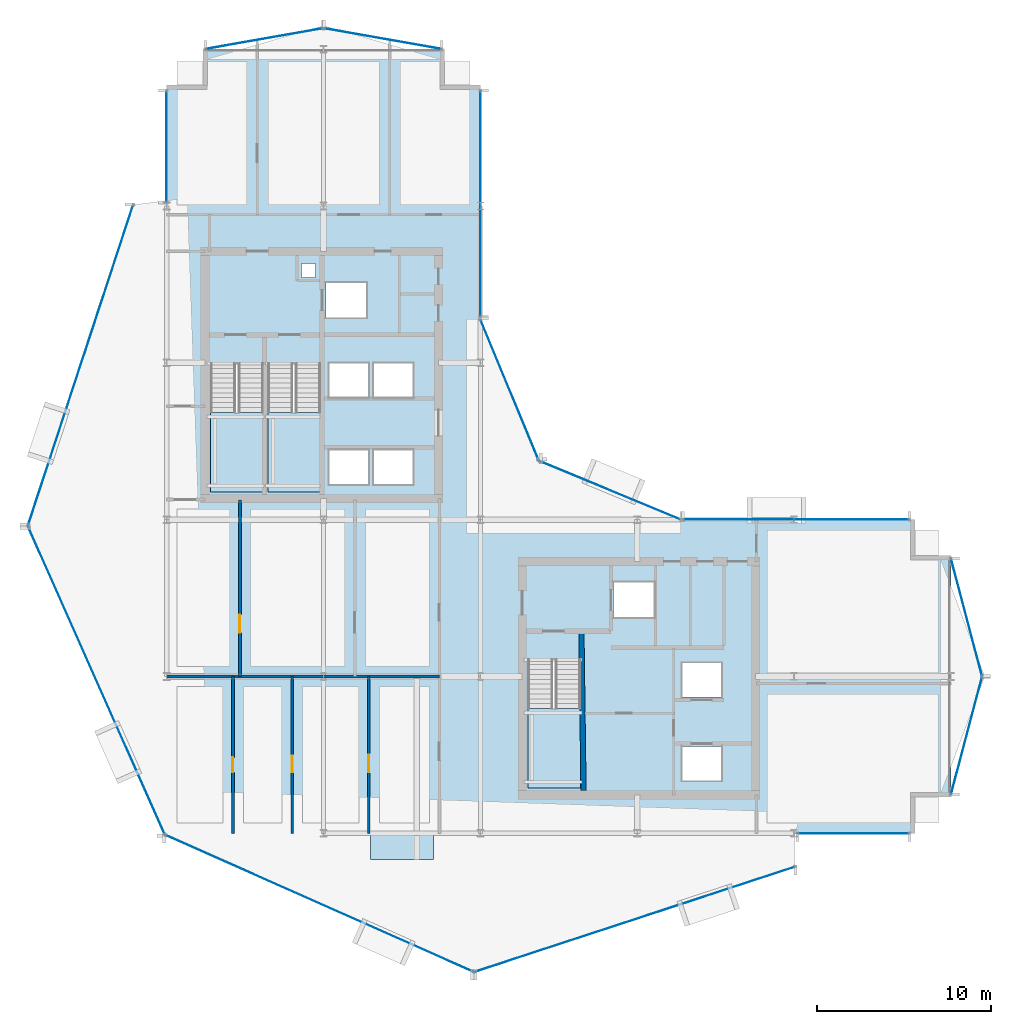
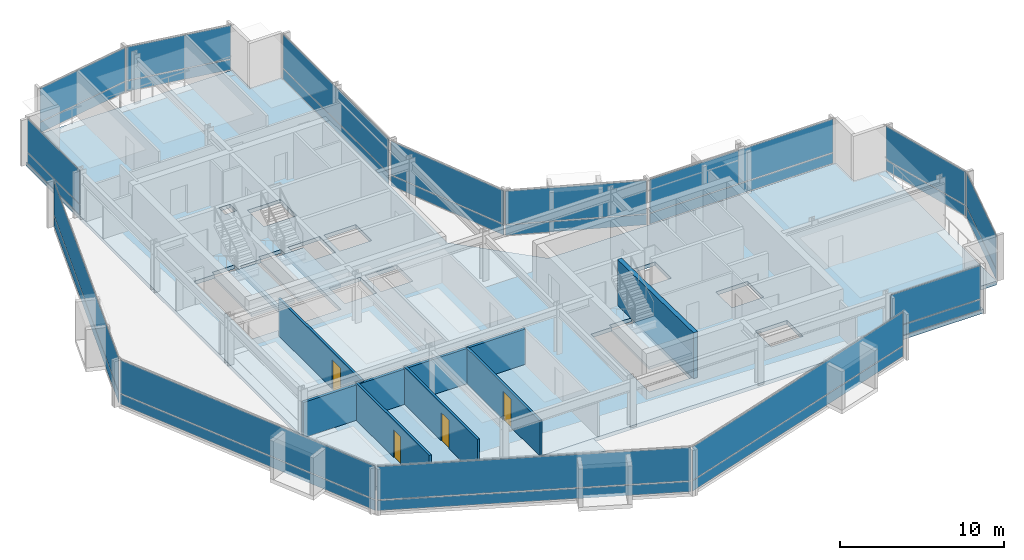
# One storey, part 21 of 28: 28 plates, 6 walls, 5 slabs, 4 doors, 4 openings, 17 elements without a shape of their own.
"""IFC4 building model written with IfcOpenShell, lengths in metres."""

import ifcopenshell
import ifcopenshell.guid

model = None  # the IFC model being written
_history = None  # IfcOwnerHistory: only IFC2X3 demands one
_inside = {}  # id of a spatial element -> (the spatial element, [elements in it])
_under = {}  # id of a project, library or spatial element -> (it, [spatial elements below it])
_declared = {}  # id of a project -> (the project, [libraries it declares])
_typed = {}  # id of a type object -> (the type object, [elements of that type])
_made_of = {}  # id of a material, layer set ... -> (it, [elements and type objects made of it])


def new_model(schema):
    """Start an empty IFC model of exactly this schema.

    Asked for "IFC4X3", IfcOpenShell would pick the latest addendum, in which some entities
    have other attributes; the version numbers below select the first issue.
    IFC2X3 requires an IfcOwnerHistory on every rooted entity: one is made here for all.
    """
    global model, _history
    if schema == "IFC4X3":
        model = ifcopenshell.file(schema_version=(4, 3, 0, 0))
    else:
        model = ifcopenshell.file(schema=schema)
    _inside.clear()
    _under.clear()
    _declared.clear()
    _typed.clear()
    _made_of.clear()
    _history = None
    if model.schema == "IFC2X3":
        org = make("IfcOrganization", Name="unknown")
        user = make(
            "IfcPersonAndOrganization",
            ThePerson=make("IfcPerson", FamilyName="unknown"),
            TheOrganization=org,
        )
        app = make(
            "IfcApplication",
            ApplicationDeveloper=org,
            Version="unknown",
            ApplicationFullName="unknown",
            ApplicationIdentifier="unknown",
        )
        _history = make(
            "IfcOwnerHistory",
            OwningUser=user,
            OwningApplication=app,
            ChangeAction="ADDED",
            CreationDate=0,
        )
    return model


def make(cls, **values):
    """One entity of the class cls with the attributes given. An attribute that is None is left unset."""
    return model.create_entity(
        cls, **{name: value for name, value in values.items() if value is not None}
    )


def rooted(cls, **values):
    """An entity with a GlobalId (a new one), such as an element, a storey or a relation."""
    return make(cls, GlobalId=ifcopenshell.guid.new(), OwnerHistory=_history, **values)


def si_unit(unit_type, name, prefix=None):
    """IfcSIUnit, for example si_unit("LENGTHUNIT", "METRE", prefix="MILLI")."""
    return make("IfcSIUnit", UnitType=unit_type, Prefix=prefix, Name=name)


def assignment(units):
    """IfcUnitAssignment: the units of a project."""
    return None if units is None else make("IfcUnitAssignment", Units=units)


def point(xyz):
    """IfcCartesianPoint."""
    return None if xyz is None else make("IfcCartesianPoint", Coordinates=xyz)


def direction(xyz):
    """IfcDirection."""
    return None if xyz is None else make("IfcDirection", DirectionRatios=xyz)


def frame(location, z_axis=None, x_axis=None):
    """IfcAxis2Placement3D, a coordinate frame: its origin and axes. An axis left out is left unset."""
    return make(
        "IfcAxis2Placement3D",
        Location=point(location),
        Axis=direction(z_axis),
        RefDirection=direction(x_axis),
    )


def frame_2d(location, x_axis=None):
    """IfcAxis2Placement2D, a coordinate frame in the plane: its origin and x axis."""
    return make(
        "IfcAxis2Placement2D", Location=point(location), RefDirection=direction(x_axis)
    )


def origin():
    """The frame at (0, 0, 0) with its axes left unset."""
    return frame((0.0, 0.0, 0.0))


def origin_2d():
    """The frame at (0, 0) in the plane with its x axis left unset."""
    return frame_2d((0.0, 0.0))


def place(relative_to, where):
    """IfcLocalPlacement: puts the frame where relative to a parent placement (None: the world)."""
    return make(
        "IfcLocalPlacement", PlacementRelTo=relative_to, RelativePlacement=where
    )


def context(
    kind, dimensions, precision=None, world=None, true_north=None, identifier=None
):
    """IfcGeometricRepresentationContext, for example the 3D "Model" context."""
    return make(
        "IfcGeometricRepresentationContext",
        ContextIdentifier=identifier,
        ContextType=kind,
        CoordinateSpaceDimension=dimensions,
        Precision=precision,
        WorldCoordinateSystem=world,
        TrueNorth=true_north,
    )


def subcontext(parent, identifier, kind, view, scale=None):
    """IfcGeometricRepresentationSubContext, for example "Body" below "Model"."""
    return make(
        "IfcGeometricRepresentationSubContext",
        ContextIdentifier=identifier,
        ContextType=kind,
        ParentContext=parent,
        TargetScale=scale,
        TargetView=view,
    )


def project(units=None, contexts=None):
    """IfcProject with its units and contexts."""
    return rooted(
        "IfcProject",
        Name="project",
        RepresentationContexts=contexts,
        UnitsInContext=assignment(units),
    )


def spatial(cls, under=None, at=None, **own):
    """A site, building, storey or space (cls), placed at a placement, below another one or the project."""
    s = rooted(cls, ObjectPlacement=at, **own)
    if under is not None:
        _under.setdefault(under.id(), (under, []))[1].append(s)
    return s


def polyline(points):
    """IfcPolyline through the points."""
    return make("IfcPolyline", Points=[point(p) for p in points])


def profile(cls, at=None, kind="AREA", **sizes):
    """A parametric profile (cls). Its sizes go by their IFC names, for example OverallWidth=200.0."""
    return make(cls, ProfileType=kind, Position=at, **sizes)


def rectangle(**sizes):
    """IfcRectangleProfileDef."""
    return profile("IfcRectangleProfileDef", **sizes)


def outline(outer, holes=None, kind="AREA"):
    """IfcArbitraryClosedProfileDef: a profile drawn as a closed curve; with holes, ...WithVoids."""
    if holes is None:
        return make("IfcArbitraryClosedProfileDef", ProfileType=kind, OuterCurve=outer)
    return make(
        "IfcArbitraryProfileDefWithVoids",
        ProfileType=kind,
        OuterCurve=outer,
        InnerCurves=holes,
    )


def extrude(swept, where, along, depth):
    """IfcExtrudedAreaSolid: the profile swept, set in the frame where, extruded along a direction by depth."""
    return make(
        "IfcExtrudedAreaSolid",
        SweptArea=swept,
        Position=where,
        ExtrudedDirection=direction(along),
        Depth=depth,
    )


def shape(context_of_items, identifier, shape_type, items):
    """IfcShapeRepresentation: the items that make up one representation, for example the "Body"."""
    return make(
        "IfcShapeRepresentation",
        ContextOfItems=context_of_items,
        RepresentationIdentifier=identifier,
        RepresentationType=shape_type,
        Items=items,
    )


def material(Name=None, Category=None):
    """IfcMaterial."""
    return make("IfcMaterial", Name=Name, Category=Category)


def layer(
    of_material, thickness, ventilated=None, Name=None, Category=None, Priority=None
):
    """IfcMaterialLayer: one layer of a wall or slab, of a material (None: an air gap)."""
    return make(
        "IfcMaterialLayer",
        Material=of_material,
        LayerThickness=thickness,
        IsVentilated=ventilated,
        Name=Name,
        Category=Category,
        Priority=Priority,
    )


def layer_set(layers, Name=None):
    """IfcMaterialLayerSet."""
    return make("IfcMaterialLayerSet", MaterialLayers=layers, LayerSetName=Name)


def made_of(thing, what):
    """Note that an element or type object is made of a material, layer set ...; save() writes the relation."""
    if what is not None:
        _made_of.setdefault(what.id(), (what, []))[1].append(thing)
    return thing


def type_object(cls, material=None, **own):
    """A type object (cls), such as IfcWallType, which elements share."""
    return made_of(rooted(cls, **own), material)


def element(
    cls,
    number,
    at=None,
    inside=None,
    cuts=None,
    type_object=None,
    material=None,
    context=None,
    identifier="Body",
    shape_type=None,
    held_by="IfcProductDefinitionShape",
    body=None,
    shapes=None,
    **own,
):
    """One element of the class cls, such as IfcWall. Its Tag is "e" and its number.

    at: its placement. inside: the storey or other place that contains it. cuts: it is an
    opening in that element (IfcRelVoidsElement). A single representation is given by context,
    identifier, shape_type and body (its items); several are given by shapes. held_by: the class
    of the entity that holds the representations. save() writes the other relations.
    """
    e = rooted(cls, Tag="e%d" % number, ObjectPlacement=at, **own)
    if body is not None:
        shapes = [shape(context, identifier, shape_type, body)]
    if shapes is not None:
        e.Representation = make(held_by, Representations=shapes)
    if inside is not None:
        _inside.setdefault(inside.id(), (inside, []))[1].append(e)
    if cuts is not None:
        rooted(
            "IfcRelVoidsElement", RelatingBuildingElement=cuts, RelatedOpeningElement=e
        )
    if type_object is not None:
        _typed.setdefault(type_object.id(), (type_object, []))[1].append(e)
    return made_of(e, material)


def fill(opening, filler):
    """IfcRelFillsElement: the door or window that sits in an opening."""
    return rooted(
        "IfcRelFillsElement",
        RelatingOpeningElement=opening,
        RelatedBuildingElement=filler,
    )


def aggregate(whole, parts):
    """IfcRelAggregates: a whole, such as a stair, and the parts it consists of."""
    return rooted("IfcRelAggregates", RelatingObject=whole, RelatedObjects=parts)


def save(model, path):
    """Write the relations noted so far, then the file.

    IfcRelAggregates (storeys below a building ...), IfcRelContainedInSpatialStructure (elements
    in a storey), IfcRelDefinesByType, IfcRelAssociatesMaterial and IfcRelDeclares: one each for
    every whole, place, type object, material and project.
    """
    for whole, parts in _under.values():
        aggregate(whole, parts)
    for where, things in _inside.values():
        rooted(
            "IfcRelContainedInSpatialStructure",
            RelatedElements=things,
            RelatingStructure=where,
        )
    for kind, things in _typed.values():
        rooted("IfcRelDefinesByType", RelatedObjects=things, RelatingType=kind)
    for what, things in _made_of.values():
        rooted("IfcRelAssociatesMaterial", RelatedObjects=things, RelatingMaterial=what)
    for by, libraries in _declared.values():
        rooted("IfcRelDeclares", RelatingContext=by, RelatedDefinitions=libraries)
    model.write(path)


model = new_model("IFC4")

# Units and contexts
model_context = context("Model", 3, precision=1e-05, world=origin(), true_north=direction((0.0, 1.0)))
body_context = subcontext(model_context, "Body", "Model", "MODEL_VIEW")
ifc_project = project(units=[si_unit("LENGTHUNIT", "METRE"), si_unit("AREAUNIT", "SQUARE_METRE"), si_unit("VOLUMEUNIT", "CUBIC_METRE"), si_unit("PLANEANGLEUNIT", "RADIAN"), si_unit("MASSUNIT", "GRAM", prefix="KILO")], contexts=[model_context])

# Site, building, storey
site_placement = place(None, origin())
site = spatial("IfcSite", under=ifc_project, at=site_placement, CompositionType="ELEMENT")
building_placement = place(site_placement, origin())
building = spatial("IfcBuilding", under=site, at=building_placement, Name="Solvaryn Broadcast Tower", CompositionType="ELEMENT")
storey_placement = place(building_placement, frame((0.0, 0.0, 158.10009765625)))
storey = spatial("IfcBuildingStorey", under=building, at=storey_placement, Name="L39", CompositionType="ELEMENT", Elevation=158.10009765625)

# Curtain wall, plates
ifc_material_1 = material(Name="Aluminium and Terracotta Unitised Curtain Wall", Category="masonry")
ifc_layer_1 = layer(ifc_material_1, 0.199951171875)
ifc_layer_set_1 = layer_set([ifc_layer_1], Name="CW-SYS2-LOWMID")
curtain_wall_type = type_object("IfcCurtainWallType", Name="CW-SYS2-LOWMID", PredefinedType="NOTDEFINED", material=ifc_layer_set_1)
curtain_wall_1_placement = place(storey_placement, origin())
curtain_wall_1 = element("IfcCurtainWall", 1, at=curtain_wall_1_placement, inside=storey, type_object=curtain_wall_type, Name="L39 Curtain Wall DR1", PredefinedType="NOTDEFINED")
ifc_material_2 = material(Name="Low-Iron Insulated Vision Glass", Category="glass")
ifc_layer_2 = layer(ifc_material_2, 0.035888671875)
ifc_layer_set_2 = layer_set([ifc_layer_2], Name="CW-PNL-VISION")
plate_type = type_object("IfcPlateType", Name="CW-PNL-VISION", PredefinedType="CURTAIN_PANEL", material=ifc_layer_set_2)
plate_1_placement = place(storey_placement, frame((4.056396484375, 35.8515625, 0.06005859375), z_axis=(0.0, 0.0, 1.0), x_axis=(-0.311646057547, -0.950198260794, 0.0)))
plate_1 = element("IfcPlate", 2, at=plate_1_placement, type_object=plate_type, Name="CWS2 panel 1.1", PredefinedType="CURTAIN_PANEL", context=body_context, shape_type="SweptSolid", body=[
    extrude(rectangle(XDim=19.277099609375, YDim=0.028076171875, at=origin_2d()), origin(), (0.0, 0.0, 1.0), 0.760009765625),
])
plate_2_placement = place(storey_placement, frame((4.056396484375, 35.8515625, 0.8798828125), z_axis=(0.0, 0.0, 1.0), x_axis=(-0.311646057547, -0.950198260794, 0.0)))
plate_2 = element("IfcPlate", 3, at=plate_2_placement, type_object=plate_type, Name="CWS2 panel 1.2", PredefinedType="CURTAIN_PANEL", context=body_context, shape_type="SweptSolid", body=[
    extrude(rectangle(XDim=19.277099609375, YDim=0.028076171875, at=origin_2d()), origin(), (0.0, 0.0, 1.0), 2.47998046875),
])
aggregate(curtain_wall_1, [plate_1, plate_2])

curtain_wall_2_placement = place(storey_placement, origin())
curtain_wall_2 = element("IfcCurtainWall", 4, at=curtain_wall_2_placement, inside=storey, type_object=curtain_wall_type, Name="L39 Curtain Wall DR2", PredefinedType="NOTDEFINED")
plate_3_placement = place(storey_placement, frame((4.970947265625, 17.77197265625, 0.06005859375), z_axis=(0.0, 0.0, 1.0), x_axis=(0.405918429309, -0.913909311008, 0.0)))
plate_3 = element("IfcPlate", 5, at=plate_3_placement, type_object=plate_type, Name="CWS2 panel 1.1", PredefinedType="CURTAIN_PANEL", context=body_context, shape_type="SweptSolid", body=[
    extrude(rectangle(XDim=19.278076171875, YDim=0.028076171875, at=origin_2d()), origin(), (0.0, 0.0, 1.0), 0.760009765625),
])
plate_4_placement = place(storey_placement, frame((4.970947265625, 17.77197265625, 0.8798828125), z_axis=(0.0, 0.0, 1.0), x_axis=(0.405918429309, -0.913909311008, 0.0)))
plate_4 = element("IfcPlate", 6, at=plate_4_placement, type_object=plate_type, Name="CWS2 panel 1.2", PredefinedType="CURTAIN_PANEL", context=body_context, shape_type="SweptSolid", body=[
    extrude(rectangle(XDim=19.278076171875, YDim=0.028076171875, at=origin_2d()), origin(), (0.0, 0.0, 1.0), 2.47998046875),
])
aggregate(curtain_wall_2, [plate_3, plate_4])

curtain_wall_3_placement = place(storey_placement, origin())
curtain_wall_3 = element("IfcCurtainWall", 7, at=curtain_wall_3_placement, inside=storey, type_object=curtain_wall_type, Name="L39 Curtain Wall DR3", PredefinedType="NOTDEFINED")
plate_5_placement = place(storey_placement, frame((17.77197265625, 4.970947265625, 0.06005859375), z_axis=(0.0, 0.0, 1.0), x_axis=(0.913909311008, -0.405918429309, 0.0)))
plate_5 = element("IfcPlate", 8, at=plate_5_placement, type_object=plate_type, Name="CWS2 panel 1.1", PredefinedType="CURTAIN_PANEL", context=body_context, shape_type="SweptSolid", body=[
    extrude(rectangle(XDim=19.278076171875, YDim=0.028076171875, at=origin_2d()), origin(), (0.0, 0.0, 1.0), 0.760009765625),
])
plate_6_placement = place(storey_placement, frame((17.77197265625, 4.970947265625, 0.8798828125), z_axis=(0.0, 0.0, 1.0), x_axis=(0.913909311008, -0.405918429309, 0.0)))
plate_6 = element("IfcPlate", 9, at=plate_6_placement, type_object=plate_type, Name="CWS2 panel 1.2", PredefinedType="CURTAIN_PANEL", context=body_context, shape_type="SweptSolid", body=[
    extrude(rectangle(XDim=19.278076171875, YDim=0.028076171875, at=origin_2d()), origin(), (0.0, 0.0, 1.0), 2.47998046875),
])
aggregate(curtain_wall_3, [plate_5, plate_6])

curtain_wall_4_placement = place(storey_placement, origin())
curtain_wall_4 = element("IfcCurtainWall", 10, at=curtain_wall_4_placement, inside=storey, type_object=curtain_wall_type, Name="L39 Curtain Wall DR4", PredefinedType="NOTDEFINED")
plate_7_placement = place(storey_placement, frame((35.8515625, 4.056396484375, 0.06005859375), z_axis=(0.0, 0.0, 1.0), x_axis=(0.950198260794, 0.311646057547, 0.0)))
plate_7 = element("IfcPlate", 11, at=plate_7_placement, type_object=plate_type, Name="CWS2 panel 1.1", PredefinedType="CURTAIN_PANEL", context=body_context, shape_type="SweptSolid", body=[
    extrude(rectangle(XDim=19.277099609375, YDim=0.028076171875, at=origin_2d()), origin(), (0.0, 0.0, 1.0), 0.760009765625),
])
plate_8_placement = place(storey_placement, frame((35.8515625, 4.056396484375, 0.8798828125), z_axis=(0.0, 0.0, 1.0), x_axis=(0.950198260794, 0.311646057547, 0.0)))
plate_8 = element("IfcPlate", 12, at=plate_8_placement, type_object=plate_type, Name="CWS2 panel 1.2", PredefinedType="CURTAIN_PANEL", context=body_context, shape_type="SweptSolid", body=[
    extrude(rectangle(XDim=19.277099609375, YDim=0.028076171875, at=origin_2d()), origin(), (0.0, 0.0, 1.0), 2.47998046875),
])
aggregate(curtain_wall_4, [plate_7, plate_8])

curtain_wall_5_placement = place(storey_placement, origin())
curtain_wall_5 = element("IfcCurtainWall", 13, at=curtain_wall_5_placement, inside=storey, type_object=curtain_wall_type, Name="L39 Curtain Wall W2", PredefinedType="NOTDEFINED")
plate_9_placement = place(storey_placement, frame((9.0, 48.408447265625, 0.06005859375), z_axis=(0.0, 0.0, 1.0), x_axis=(0.0, 1.0, 0.0)))
plate_9 = element("IfcPlate", 14, at=plate_9_placement, type_object=plate_type, Name="CWS2 panel 1.1", PredefinedType="CURTAIN_PANEL", context=body_context, shape_type="SweptSolid", body=[
    extrude(rectangle(XDim=6.363037109375, YDim=0.028076171875, at=origin_2d()), origin(), (0.0, 0.0, 1.0), 0.760009765625),
])
plate_10_placement = place(storey_placement, frame((9.0, 48.408447265625, 0.8798828125), z_axis=(0.0, 0.0, 1.0), x_axis=(0.0, 1.0, 0.0)))
plate_10 = element("IfcPlate", 15, at=plate_10_placement, type_object=plate_type, Name="CWS2 panel 1.2", PredefinedType="CURTAIN_PANEL", context=body_context, shape_type="SweptSolid", body=[
    extrude(rectangle(XDim=6.363037109375, YDim=0.028076171875, at=origin_2d()), origin(), (0.0, 0.0, 1.0), 2.47998046875),
])
aggregate(curtain_wall_5, [plate_9, plate_10])

curtain_wall_6_placement = place(storey_placement, origin())
curtain_wall_6 = element("IfcCurtainWall", 16, at=curtain_wall_6_placement, inside=storey, type_object=curtain_wall_type, Name="L39 Curtain Wall IV", PredefinedType="NOTDEFINED")
plate_11_placement = place(storey_placement, frame((27.0, 45.125, 0.06005859375), z_axis=(0.0, 0.0, 1.0), x_axis=(0.0, -1.0, 0.0)))
plate_11 = element("IfcPlate", 17, at=plate_11_placement, type_object=plate_type, Name="CWS2 panel 1.1", PredefinedType="CURTAIN_PANEL", context=body_context, shape_type="SweptSolid", body=[
    extrude(rectangle(XDim=12.929931640625, YDim=0.028076171875, at=origin_2d()), origin(), (0.0, 0.0, 1.0), 0.760009765625),
])
plate_12_placement = place(storey_placement, frame((27.0, 45.125, 0.8798828125), z_axis=(0.0, 0.0, 1.0), x_axis=(0.0, -1.0, 0.0)))
plate_12 = element("IfcPlate", 18, at=plate_12_placement, type_object=plate_type, Name="CWS2 panel 1.2", PredefinedType="CURTAIN_PANEL", context=body_context, shape_type="SweptSolid", body=[
    extrude(rectangle(XDim=12.929931640625, YDim=0.028076171875, at=origin_2d()), origin(), (0.0, 0.0, 1.0), 2.47998046875),
])
aggregate(curtain_wall_6, [plate_11, plate_12])

curtain_wall_7_placement = place(storey_placement, origin())
curtain_wall_7 = element("IfcCurtainWall", 19, at=curtain_wall_7_placement, inside=storey, type_object=curtain_wall_type, Name="L39 Curtain Wall CN1", PredefinedType="NOTDEFINED")
plate_13_placement = place(storey_placement, frame((34.43408203125, 28.68408203125, 0.06005859375), z_axis=(0.0, 0.0, 1.0), x_axis=(-0.923894983957, 0.382646127145, 0.0)))
plate_13 = element("IfcPlate", 20, at=plate_13_placement, type_object=plate_type, Name="CWS2 panel 1.1", PredefinedType="CURTAIN_PANEL", context=body_context, shape_type="SweptSolid", body=[
    extrude(rectangle(XDim=8.681884765625, YDim=0.028076171875, at=origin_2d()), origin(), (0.0, 0.0, 1.0), 0.760009765625),
])
plate_14_placement = place(storey_placement, frame((34.43408203125, 28.68408203125, 0.8798828125), z_axis=(0.0, 0.0, 1.0), x_axis=(-0.923894983957, 0.382646127145, 0.0)))
plate_14 = element("IfcPlate", 21, at=plate_14_placement, type_object=plate_type, Name="CWS2 panel 1.2", PredefinedType="CURTAIN_PANEL", context=body_context, shape_type="SweptSolid", body=[
    extrude(rectangle(XDim=8.681884765625, YDim=0.028076171875, at=origin_2d()), origin(), (0.0, 0.0, 1.0), 2.47998046875),
])
aggregate(curtain_wall_7, [plate_13, plate_14])

curtain_wall_8_placement = place(storey_placement, origin())
curtain_wall_8 = element("IfcCurtainWall", 22, at=curtain_wall_8_placement, inside=storey, type_object=curtain_wall_type, Name="L39 Curtain Wall CN2", PredefinedType="NOTDEFINED")
plate_15_placement = place(storey_placement, frame((28.68408203125, 34.43408203125, 0.06005859375), z_axis=(0.0, 0.0, 1.0), x_axis=(-0.382646127145, 0.923894983957, 0.0)))
plate_15 = element("IfcPlate", 23, at=plate_15_placement, type_object=plate_type, Name="CWS2 panel 1.1", PredefinedType="CURTAIN_PANEL", context=body_context, shape_type="SweptSolid", body=[
    extrude(rectangle(XDim=8.681884765625, YDim=0.028076171875, at=origin_2d()), origin(), (0.0, 0.0, 1.0), 0.760009765625),
])
plate_16_placement = place(storey_placement, frame((28.68408203125, 34.43408203125, 0.8798828125), z_axis=(0.0, 0.0, 1.0), x_axis=(-0.382646127145, 0.923894983957, 0.0)))
plate_16 = element("IfcPlate", 24, at=plate_16_placement, type_object=plate_type, Name="CWS2 panel 1.2", PredefinedType="CURTAIN_PANEL", context=body_context, shape_type="SweptSolid", body=[
    extrude(rectangle(XDim=8.681884765625, YDim=0.028076171875, at=origin_2d()), origin(), (0.0, 0.0, 1.0), 2.47998046875),
])
aggregate(curtain_wall_8, [plate_15, plate_16])

curtain_wall_9_placement = place(storey_placement, origin())
curtain_wall_9 = element("IfcCurtainWall", 25, at=curtain_wall_9_placement, inside=storey, type_object=curtain_wall_type, Name="L39 Curtain Wall S2", PredefinedType="NOTDEFINED")
plate_17_placement = place(storey_placement, frame((48.408447265625, 9.0, 0.06005859375), z_axis=(0.0, 0.0, 1.0), x_axis=(1.0, 0.0, 0.0)))
plate_17 = element("IfcPlate", 26, at=plate_17_placement, type_object=plate_type, Name="CWS2 panel 1.1", PredefinedType="CURTAIN_PANEL", context=body_context, shape_type="SweptSolid", body=[
    extrude(rectangle(XDim=6.363037109375, YDim=0.028076171875, at=origin_2d()), origin(), (0.0, 0.0, 1.0), 0.760009765625),
])
plate_18_placement = place(storey_placement, frame((48.408447265625, 9.0, 0.8798828125), z_axis=(0.0, 0.0, 1.0), x_axis=(1.0, 0.0, 0.0)))
plate_18 = element("IfcPlate", 27, at=plate_18_placement, type_object=plate_type, Name="CWS2 panel 1.2", PredefinedType="CURTAIN_PANEL", context=body_context, shape_type="SweptSolid", body=[
    extrude(rectangle(XDim=6.363037109375, YDim=0.028076171875, at=origin_2d()), origin(), (0.0, 0.0, 1.0), 2.47998046875),
])
aggregate(curtain_wall_9, [plate_17, plate_18])

curtain_wall_10_placement = place(storey_placement, origin())
curtain_wall_10 = element("IfcCurtainWall", 28, at=curtain_wall_10_placement, inside=storey, type_object=curtain_wall_type, Name="L39 Curtain Wall NT1", PredefinedType="NOTDEFINED")
plate_19_placement = place(storey_placement, frame((21.39990234375, 54.60009765625, 0.06005859375), z_axis=(0.0, 0.0, 1.0), x_axis=(-0.984783558819, 0.173785333901, 0.0)))
plate_19 = element("IfcPlate", 29, at=plate_19_placement, type_object=plate_type, Name="CWS2 panel 1.1", PredefinedType="CURTAIN_PANEL", context=body_context, shape_type="SweptSolid", body=[
    extrude(rectangle(XDim=6.78515625, YDim=0.028076171875, at=origin_2d()), origin(), (0.0, 0.0, 1.0), 0.760009765625),
])
plate_20_placement = place(storey_placement, frame((21.39990234375, 54.60009765625, 0.8798828125), z_axis=(0.0, 0.0, 1.0), x_axis=(-0.984783558819, 0.173785333901, 0.0)))
plate_20 = element("IfcPlate", 30, at=plate_20_placement, type_object=plate_type, Name="CWS2 panel 1.2", PredefinedType="CURTAIN_PANEL", context=body_context, shape_type="SweptSolid", body=[
    extrude(rectangle(XDim=6.78515625, YDim=0.028076171875, at=origin_2d()), origin(), (0.0, 0.0, 1.0), 2.47998046875),
])
aggregate(curtain_wall_10, [plate_19, plate_20])

curtain_wall_11_placement = place(storey_placement, origin())
curtain_wall_11 = element("IfcCurtainWall", 31, at=curtain_wall_11_placement, inside=storey, type_object=curtain_wall_type, Name="L39 Curtain Wall NT2", PredefinedType="NOTDEFINED")
plate_21_placement = place(storey_placement, frame((14.60009765625, 54.60009765625, 0.06005859375), z_axis=(0.0, 0.0, 1.0), x_axis=(-0.984783558819, -0.173785333901, 0.0)))
plate_21 = element("IfcPlate", 32, at=plate_21_placement, type_object=plate_type, Name="CWS2 panel 1.1", PredefinedType="CURTAIN_PANEL", context=body_context, shape_type="SweptSolid", body=[
    extrude(rectangle(XDim=6.78515625, YDim=0.028076171875, at=origin_2d()), origin(), (0.0, 0.0, 1.0), 0.760009765625),
])
plate_22_placement = place(storey_placement, frame((14.60009765625, 54.60009765625, 0.8798828125), z_axis=(0.0, 0.0, 1.0), x_axis=(-0.984783558819, -0.173785333901, 0.0)))
plate_22 = element("IfcPlate", 33, at=plate_22_placement, type_object=plate_type, Name="CWS2 panel 1.2", PredefinedType="CURTAIN_PANEL", context=body_context, shape_type="SweptSolid", body=[
    extrude(rectangle(XDim=6.78515625, YDim=0.028076171875, at=origin_2d()), origin(), (0.0, 0.0, 1.0), 2.47998046875),
])
aggregate(curtain_wall_11, [plate_21, plate_22])

curtain_wall_12_placement = place(storey_placement, origin())
curtain_wall_12 = element("IfcCurtainWall", 34, at=curtain_wall_12_placement, inside=storey, type_object=curtain_wall_type, Name="L39 Curtain Wall ET1", PredefinedType="NOTDEFINED")
plate_23_placement = place(storey_placement, frame((54.89990234375, 21.39990234375, 0.06005859375), z_axis=(0.0, 0.0, 1.0), x_axis=(0.25589256031, -0.966705227863, 0.0)))
plate_23 = element("IfcPlate", 35, at=plate_23_placement, type_object=plate_type, Name="CWS2 panel 1.1", PredefinedType="CURTAIN_PANEL", context=body_context, shape_type="SweptSolid", body=[
    extrude(rectangle(XDim=6.914306640625, YDim=0.028076171875, at=origin_2d()), origin(), (0.0, 0.0, 1.0), 0.760009765625),
])
plate_24_placement = place(storey_placement, frame((54.89990234375, 21.39990234375, 0.8798828125), z_axis=(0.0, 0.0, 1.0), x_axis=(0.25589256031, -0.966705227863, 0.0)))
plate_24 = element("IfcPlate", 36, at=plate_24_placement, type_object=plate_type, Name="CWS2 panel 1.2", PredefinedType="CURTAIN_PANEL", context=body_context, shape_type="SweptSolid", body=[
    extrude(rectangle(XDim=6.914306640625, YDim=0.028076171875, at=origin_2d()), origin(), (0.0, 0.0, 1.0), 2.47998046875),
])
aggregate(curtain_wall_12, [plate_23, plate_24])

curtain_wall_13_placement = place(storey_placement, origin())
curtain_wall_13 = element("IfcCurtainWall", 37, at=curtain_wall_13_placement, inside=storey, type_object=curtain_wall_type, Name="L39 Curtain Wall ET2", PredefinedType="NOTDEFINED")
plate_25_placement = place(storey_placement, frame((54.89990234375, 14.60009765625, 0.06005859375), z_axis=(0.0, 0.0, 1.0), x_axis=(-0.25589256031, -0.966705227863, 0.0)))
plate_25 = element("IfcPlate", 38, at=plate_25_placement, type_object=plate_type, Name="CWS2 panel 1.1", PredefinedType="CURTAIN_PANEL", context=body_context, shape_type="SweptSolid", body=[
    extrude(rectangle(XDim=6.914306640625, YDim=0.028076171875, at=origin_2d()), origin(), (0.0, 0.0, 1.0), 0.760009765625),
])
plate_26_placement = place(storey_placement, frame((54.89990234375, 14.60009765625, 0.8798828125), z_axis=(0.0, 0.0, 1.0), x_axis=(-0.25589256031, -0.966705227863, 0.0)))
plate_26 = element("IfcPlate", 39, at=plate_26_placement, type_object=plate_type, Name="CWS2 panel 1.2", PredefinedType="CURTAIN_PANEL", context=body_context, shape_type="SweptSolid", body=[
    extrude(rectangle(XDim=6.914306640625, YDim=0.028076171875, at=origin_2d()), origin(), (0.0, 0.0, 1.0), 2.47998046875),
])
aggregate(curtain_wall_13, [plate_25, plate_26])

curtain_wall_14_placement = place(storey_placement, origin())
curtain_wall_14 = element("IfcCurtainWall", 40, at=curtain_wall_14_placement, inside=storey, type_object=curtain_wall_type, Name="L39 Curtain Wall IH", PredefinedType="NOTDEFINED")
plate_27_placement = place(storey_placement, frame((45.125, 27.0, 0.06005859375), z_axis=(0.0, 0.0, 1.0), x_axis=(1.0, 0.0, 0.0)))
plate_27 = element("IfcPlate", 41, at=plate_27_placement, type_object=plate_type, Name="CWS2 panel 1.1", PredefinedType="CURTAIN_PANEL", context=body_context, shape_type="SweptSolid", body=[
    extrude(rectangle(XDim=12.929931640625, YDim=0.028076171875, at=origin_2d()), origin(), (0.0, 0.0, 1.0), 0.760009765625),
])
plate_28_placement = place(storey_placement, frame((45.125, 27.0, 0.8798828125), z_axis=(0.0, 0.0, 1.0), x_axis=(1.0, 0.0, 0.0)))
plate_28 = element("IfcPlate", 42, at=plate_28_placement, type_object=plate_type, Name="CWS2 panel 1.2", PredefinedType="CURTAIN_PANEL", context=body_context, shape_type="SweptSolid", body=[
    extrude(rectangle(XDim=12.929931640625, YDim=0.028076171875, at=origin_2d()), origin(), (0.0, 0.0, 1.0), 2.47998046875),
])
aggregate(curtain_wall_14, [plate_27, plate_28])

# Slab
ifc_material_3 = material(Name="Concrete f'c 60 MPa", Category="concrete")
ifc_layer_3 = layer(ifc_material_3, 0.2099609375)
ifc_layer_set_3 = layer_set([ifc_layer_3], Name="SL-BAYBOX-210")
slab_type_1 = type_object("IfcSlabType", Name="SL-BAYBOX-210", PredefinedType="FLOOR", material=ifc_layer_set_3)
slab_1_placement = place(storey_placement, frame((0.0, 0.0, -0.210205078125)))
element("IfcSlab", 43, at=slab_1_placement, inside=storey, type_object=slab_type_1, Name="L39 Projecting Bay-Box Slab 1", PredefinedType="FLOOR", context=body_context, shape_type="SweptSolid", body=[
    extrude(outline(polyline([(20.699951171875, 7.5), (24.300048828125, 7.5), (24.300048828125, 9.0), (20.699951171875, 9.0), (20.699951171875, 7.5)])), origin(), (0.0, 0.0, 1.0), 0.210205078125),
])

# Stair, slab
ifc_material_4 = material(Name="Concrete f'c 60 MPa", Category="concrete")
stair_type = type_object("IfcStairType", Name="ST-CORE", PredefinedType="HALF_TURN_STAIR", material=ifc_material_4)
stair_1_placement = place(storey_placement, origin())
stair_1 = element("IfcStair", 44, at=stair_1_placement, inside=storey, type_object=stair_type, Name="L39 ST1", PredefinedType="HALF_TURN_STAIR")
ifc_material_5 = material(Name="Concrete f'c 60 MPa", Category="concrete")
ifc_layer_4 = layer(ifc_material_5, 0.199951171875)
ifc_layer_set_4 = layer_set([ifc_layer_4], Name="SL-LANDING-200")
slab_type_2 = type_object("IfcSlabType", Name="SL-LANDING-200", PredefinedType="LANDING", material=ifc_layer_set_4)
slab_2_placement = place(storey_placement, frame((0.0, 0.0, 1.64990234375)))
slab_2 = element("IfcSlab", 45, at=slab_2_placement, type_object=slab_type_2, Name="ST1 landing 1", PredefinedType="LANDING", context=body_context, shape_type="SweptSolid", body=[
    extrude(outline(polyline([(11.52001953125, 33.159912109375), (11.52001953125, 28.60009765625), (14.550048828125, 28.60009765625), (14.550048828125, 33.159912109375), (11.52001953125, 33.159912109375)])), origin(), (0.0, 0.0, 1.0), 0.199951171875),
])
aggregate(stair_1, [slab_2])

stair_2_placement = place(storey_placement, origin())
stair_2 = element("IfcStair", 46, at=stair_2_placement, inside=storey, type_object=stair_type, Name="L39 ST2", PredefinedType="HALF_TURN_STAIR")
slab_3_placement = place(storey_placement, frame((0.0, 0.0, 1.64990234375)))
slab_3 = element("IfcSlab", 47, at=slab_3_placement, type_object=slab_type_2, Name="ST2 landing 1", PredefinedType="LANDING", context=body_context, shape_type="SweptSolid", body=[
    extrude(outline(polyline([(14.800048828125, 33.159912109375), (14.800048828125, 28.60009765625), (17.830078125, 28.60009765625), (17.830078125, 33.159912109375), (14.800048828125, 33.159912109375)])), origin(), (0.0, 0.0, 1.0), 0.199951171875),
])
aggregate(stair_2, [slab_3])

stair_3_placement = place(storey_placement, origin())
stair_3 = element("IfcStair", 48, at=stair_3_placement, inside=storey, type_object=stair_type, Name="L39 ST3", PredefinedType="HALF_TURN_STAIR")
slab_4_placement = place(storey_placement, frame((0.0, 0.0, 1.64990234375)))
slab_4 = element("IfcSlab", 49, at=slab_4_placement, type_object=slab_type_2, Name="ST3 landing 1", PredefinedType="LANDING", context=body_context, shape_type="SweptSolid", body=[
    extrude(outline(polyline([(29.719970703125, 16.159912109375), (29.719970703125, 11.60009765625), (32.75, 11.60009765625), (32.75, 16.159912109375), (29.719970703125, 16.159912109375)])), origin(), (0.0, 0.0, 1.0), 0.199951171875),
])
aggregate(stair_3, [slab_4])

# Slab
ifc_material_6 = material(Name="Concrete f'c 60 MPa", Category="concrete")
ifc_layer_5 = layer(ifc_material_6, 0.280029296875)
ifc_layer_set_5 = layer_set([ifc_layer_5], Name="SL-TWR-280")
slab_type_3 = type_object("IfcSlabType", Name="SL-TWR-280", PredefinedType="FLOOR", material=ifc_layer_set_5)
slab_5_placement = place(storey_placement, frame((0.0, 0.0, -0.280029296875)))
element("IfcSlab", 50, at=slab_5_placement, inside=storey, type_object=slab_type_3, Name="L39 Structural Floor Slab", PredefinedType="FLOOR", context=body_context, shape_type="SweptSolid", body=[
    extrude(outline(polyline([(11.199951171875, 9.0), (51.800048828125, 9.0), (51.800048828125, 11.199951171875), (54.0, 11.199951171875), (54.0, 24.800048828125), (51.800048828125, 24.800048828125), (51.800048828125, 27.0), (31.5, 27.0), (27.0, 31.5), (27.0, 51.800048828125), (24.800048828125, 51.800048828125), (24.800048828125, 54.0), (11.199951171875, 54.0), (11.199951171875, 51.800048828125), (9.0, 51.800048828125), (9.0, 11.199951171875), (11.199951171875, 11.199951171875), (11.199951171875, 9.0)]), holes=[polyline([(11.52001953125, 28.60009765625), (14.550048828125, 28.60009765625), (14.550048828125, 35.9599609375), (12.97998046875, 35.9599609375), (12.97998046875, 35.679931640625), (11.52001953125, 35.679931640625), (11.52001953125, 28.60009765625)]), polyline([(14.800048828125, 28.60009765625), (17.830078125, 28.60009765625), (17.830078125, 35.9599609375), (16.260009765625, 35.9599609375), (16.260009765625, 35.679931640625), (14.800048828125, 35.679931640625), (14.800048828125, 28.60009765625)]), polyline([(29.719970703125, 11.60009765625), (32.75, 11.60009765625), (32.75, 18.9599609375), (31.179931640625, 18.9599609375), (31.179931640625, 18.679931640625), (29.719970703125, 18.679931640625), (29.719970703125, 11.60009765625)]), polyline([(18.14990234375, 38.60009765625), (20.449951171875, 38.60009765625), (20.449951171875, 40.60009765625), (18.14990234375, 40.60009765625), (18.14990234375, 38.60009765625)]), polyline([(18.324951171875, 29.02490234375), (20.574951171875, 29.02490234375), (20.574951171875, 30.97509765625), (18.324951171875, 30.97509765625), (18.324951171875, 29.02490234375)]), polyline([(20.875, 29.02490234375), (23.125, 29.02490234375), (23.125, 30.97509765625), (20.875, 30.97509765625), (20.875, 29.02490234375)]), polyline([(18.324951171875, 34.02490234375), (20.574951171875, 34.02490234375), (20.574951171875, 35.97509765625), (18.324951171875, 35.97509765625), (18.324951171875, 34.02490234375)]), polyline([(20.875, 34.02490234375), (23.125, 34.02490234375), (23.125, 35.97509765625), (20.875, 35.97509765625), (20.875, 34.02490234375)]), polyline([(34.64990234375, 21.39990234375), (36.949951171875, 21.39990234375), (36.949951171875, 23.39990234375), (34.64990234375, 23.39990234375), (34.64990234375, 21.39990234375)]), polyline([(38.574951171875, 12.02490234375), (40.824951171875, 12.02490234375), (40.824951171875, 13.97509765625), (38.574951171875, 13.97509765625), (38.574951171875, 12.02490234375)]), polyline([(38.574951171875, 16.824951171875), (40.824951171875, 16.824951171875), (40.824951171875, 18.77490234375), (38.574951171875, 18.77490234375), (38.574951171875, 16.824951171875)]), polyline([(16.75, 40.89990234375), (17.550048828125, 40.89990234375), (17.550048828125, 41.699951171875), (16.75, 41.699951171875), (16.75, 40.89990234375)])]), origin(), (0.0, 0.0, 1.0), 0.280029296875),
])

# Wall, opening, door
ifc_material_7 = material(Name="Metal-Stud Gypsum Office Partition")
ifc_layer_6 = layer(ifc_material_7, 0.159912109375)
ifc_layer_set_6 = layer_set([ifc_layer_6], Name="IW-PART-160")
wall_type_1 = type_object("IfcWallType", Name="IW-PART-160", PredefinedType="PARTITIONING", material=ifc_layer_set_6)
wall_1_placement = place(storey_placement, frame((13.199951171875, 18.0, 0.0), z_axis=(0.0, 0.0, 1.0), x_axis=(0.0, 1.0, 0.0)))
wall_1 = element("IfcWall", 51, at=wall_1_placement, inside=storey, type_object=wall_type_1, Name="L39 Interior Partition IW-L39-SWN-V1", PredefinedType="PARTITIONING", context=body_context, shape_type="SweptSolid", body=[
    extrude(rectangle(XDim=10.1298828125, YDim=0.159912109375, at=frame_2d((5.06494140625, 0.0))), origin(), (0.0, 0.0, 1.0), 2.788818359375),
])
opening_1_placement = place(wall_1_placement, frame((2.5, 0.0, 0.0)))
opening_1 = element("IfcOpeningElement", 52, at=opening_1_placement, cuts=wall_1, Name="Opening ID03", PredefinedType="OPENING", context=body_context, shape_type="SweptSolid", body=[
    extrude(rectangle(XDim=1.050048828125, YDim=2.14990234375, at=frame_2d((0.52490234375, 1.074951171875))), frame((0.0, 0.090087890625, 0.0), z_axis=(0.0, -1.0, 0.0), x_axis=(1.0, 0.0, 0.0)), (0.0, 0.0, 1.0), 0.179931640625),
])
ifc_material_8 = material(Name="Flush Acoustic Steel and Timber Door Assembly", Category="steel")
door_type_1 = type_object("IfcDoorType", Name="ID-03-1050X2150", OperationType="NOTDEFINED", PredefinedType="DOOR", material=ifc_material_8)
door_1_placement = place(opening_1_placement, origin())
door_1 = element("IfcDoor", 53, at=door_1_placement, inside=storey, type_object=door_type_1, Name="L39 Door DR-L39-SWN-1", OperationType="SINGLE_SWING_RIGHT", OverallHeight=2.14990234375, OverallWidth=1.050048828125, PredefinedType="DOOR", context=body_context, shape_type="SweptSolid", body=[
    extrude(rectangle(XDim=1.050048828125, YDim=2.14990234375, at=frame_2d((0.52490234375, 1.074951171875))), frame((0.0, 0.02490234375, 0.0), z_axis=(0.0, -1.0, 0.0), x_axis=(1.0, 0.0, 0.0)), (0.0, 0.0, 1.0), 0.050048828125),
])
fill(opening_1, door_1)

wall_2_placement = place(storey_placement, frame((12.800048828125, 9.0, 0.0), z_axis=(0.0, 0.0, 1.0), x_axis=(0.0, 1.0, 0.0)))
wall_2 = element("IfcWall", 54, at=wall_2_placement, inside=storey, type_object=wall_type_1, Name="L39 Interior Partition IW-L39-SWS-V1", PredefinedType="PARTITIONING", context=body_context, shape_type="SweptSolid", body=[
    extrude(rectangle(XDim=9.0, YDim=0.159912109375, at=frame_2d((4.5, 0.0))), origin(), (0.0, 0.0, 1.0), 2.788818359375),
])
opening_2_placement = place(wall_2_placement, frame((3.5, 0.0, 0.0)))
opening_2 = element("IfcOpeningElement", 55, at=opening_2_placement, cuts=wall_2, Name="Opening ID07", PredefinedType="OPENING", context=body_context, shape_type="SweptSolid", body=[
    extrude(rectangle(XDim=0.860107421875, YDim=2.050048828125, at=frame_2d((0.43017578125, 1.02490234375))), frame((0.0, 0.090087890625, 0.0), z_axis=(0.0, -1.0, 0.0), x_axis=(1.0, 0.0, 0.0)), (0.0, 0.0, 1.0), 0.179931640625),
])
ifc_material_9 = material(Name="Flush Acoustic Steel and Timber Door Assembly", Category="steel")
door_type_2 = type_object("IfcDoorType", Name="ID-07-860X2050", OperationType="NOTDEFINED", PredefinedType="DOOR", material=ifc_material_9)
door_2_placement = place(opening_2_placement, origin())
door_2 = element("IfcDoor", 56, at=door_2_placement, inside=storey, type_object=door_type_2, Name="L39 Door DR-L39-SWS-1", OperationType="SINGLE_SWING_RIGHT", OverallHeight=2.050048828125, OverallWidth=0.860107421875, PredefinedType="DOOR", context=body_context, shape_type="SweptSolid", body=[
    extrude(rectangle(XDim=0.860107421875, YDim=2.050048828125, at=frame_2d((0.43017578125, 1.02490234375))), frame((0.0, 0.02490234375, 0.0), z_axis=(0.0, -1.0, 0.0), x_axis=(1.0, 0.0, 0.0)), (0.0, 0.0, 1.0), 0.050048828125),
])
fill(opening_2, door_2)

wall_3_placement = place(storey_placement, frame((16.199951171875, 9.0, 0.0), z_axis=(0.0, 0.0, 1.0), x_axis=(0.0, 1.0, 0.0)))
wall_3 = element("IfcWall", 57, at=wall_3_placement, inside=storey, type_object=wall_type_1, Name="L39 Interior Partition IW-L39-SWS-V2", PredefinedType="PARTITIONING", context=body_context, shape_type="SweptSolid", body=[
    extrude(rectangle(XDim=9.0, YDim=0.159912109375, at=frame_2d((4.5, 0.0))), origin(), (0.0, 0.0, 1.0), 2.788818359375),
])
opening_3_placement = place(wall_3_placement, frame((3.5, 0.0, 0.0)))
opening_3 = element("IfcOpeningElement", 58, at=opening_3_placement, cuts=wall_3, Name="Opening ID01", PredefinedType="OPENING", context=body_context, shape_type="SweptSolid", body=[
    extrude(rectangle(XDim=0.949951171875, YDim=2.10009765625, at=frame_2d((0.47509765625, 1.050048828125))), frame((0.0, 0.090087890625, 0.0), z_axis=(0.0, -1.0, 0.0), x_axis=(1.0, 0.0, 0.0)), (0.0, 0.0, 1.0), 0.179931640625),
])
ifc_material_10 = material(Name="Flush Acoustic Steel and Timber Door Assembly", Category="steel")
door_type_3 = type_object("IfcDoorType", Name="ID-01-950X2100", OperationType="NOTDEFINED", PredefinedType="DOOR", material=ifc_material_10)
door_3_placement = place(opening_3_placement, origin())
door_3 = element("IfcDoor", 59, at=door_3_placement, inside=storey, type_object=door_type_3, Name="L39 Door DR-L39-SWS-2", OperationType="SINGLE_SWING_LEFT", OverallHeight=2.10009765625, OverallWidth=0.949951171875, PredefinedType="DOOR", context=body_context, shape_type="SweptSolid", body=[
    extrude(rectangle(XDim=0.949951171875, YDim=2.10009765625, at=frame_2d((0.47509765625, 1.050048828125))), frame((0.0, 0.02490234375, 0.0), z_axis=(0.0, -1.0, 0.0), x_axis=(1.0, 0.0, 0.0)), (0.0, 0.0, 1.0), 0.050048828125),
])
fill(opening_3, door_3)

wall_4_placement = place(storey_placement, frame((20.60009765625, 9.0, 0.0), z_axis=(0.0, 0.0, 1.0), x_axis=(0.0, 1.0, 0.0)))
wall_4 = element("IfcWall", 60, at=wall_4_placement, inside=storey, type_object=wall_type_1, Name="L39 Interior Partition IW-L39-SWS-V3", PredefinedType="PARTITIONING", context=body_context, shape_type="SweptSolid", body=[
    extrude(rectangle(XDim=9.0, YDim=0.159912109375, at=frame_2d((4.5, 0.0))), origin(), (0.0, 0.0, 1.0), 2.6337890625),
])
opening_4_placement = place(wall_4_placement, frame((3.5, 0.0, 0.0)))
opening_4 = element("IfcOpeningElement", 61, at=opening_4_placement, cuts=wall_4, Name="Opening ID02", PredefinedType="OPENING", context=body_context, shape_type="SweptSolid", body=[
    extrude(rectangle(XDim=1.0, YDim=2.10009765625, at=frame_2d((0.5, 1.050048828125))), frame((0.0, 0.090087890625, 0.0), z_axis=(0.0, -1.0, 0.0), x_axis=(1.0, 0.0, 0.0)), (0.0, 0.0, 1.0), 0.179931640625),
])
ifc_material_11 = material(Name="Flush Acoustic Steel and Timber Door Assembly", Category="steel")
door_type_4 = type_object("IfcDoorType", Name="ID-02-1000X2100", OperationType="NOTDEFINED", PredefinedType="DOOR", material=ifc_material_11)
door_4_placement = place(opening_4_placement, origin())
door_4 = element("IfcDoor", 62, at=door_4_placement, inside=storey, type_object=door_type_4, Name="L39 Door DR-L39-SWS-3", OperationType="SINGLE_SWING_RIGHT", OverallHeight=2.10009765625, OverallWidth=1.0, PredefinedType="DOOR", context=body_context, shape_type="SweptSolid", body=[
    extrude(rectangle(XDim=1.0, YDim=2.10009765625, at=frame_2d((0.5, 1.050048828125))), frame((0.0, 0.02490234375, 0.0), z_axis=(0.0, -1.0, 0.0), x_axis=(1.0, 0.0, 0.0)), (0.0, 0.0, 1.0), 0.050048828125),
])
fill(opening_4, door_4)

# Walls
ifc_material_12 = material(Name="Acoustic Metal-Stud Gypsum Partition")
ifc_layer_7 = layer(ifc_material_12, 0.179931640625)
ifc_layer_set_7 = layer_set([ifc_layer_7], Name="IW-PART-180")
wall_type_2 = type_object("IfcWallType", Name="IW-PART-180", PredefinedType="PARTITIONING", material=ifc_layer_set_7)
wall_5_placement = place(storey_placement, frame((9.0, 18.0, 0.0), z_axis=(0.0, 0.0, 1.0), x_axis=(1.0, 0.0, 0.0)))
element("IfcWall", 63, at=wall_5_placement, inside=storey, type_object=wall_type_2, Name="L39 Interior Partition IW-L39-SW-HY", PredefinedType="PARTITIONING", context=body_context, shape_type="SweptSolid", body=[
    extrude(rectangle(XDim=15.64990234375, YDim=0.179931640625, at=frame_2d((7.824951171875, 0.0))), origin(), (0.0, 0.0, 1.0), 2.6337890625),
])
ifc_material_13 = material(Name="Concrete f'c 70 MPa", Category="concrete")
ifc_layer_8 = layer(ifc_material_13, 0.300048828125)
ifc_layer_set_8 = layer_set([ifc_layer_8], Name="SW-SHAFT-300")
wall_type_3 = type_object("IfcWallType", Name="SW-SHAFT-300", PredefinedType="SHEAR", material=ifc_layer_set_8)
wall_6_placement = place(storey_placement, frame((32.919921875, 11.449951171875, 0.0), z_axis=(0.0, 0.0, 1.0), x_axis=(-0.013171578211, 0.999913251001, 0.0)))
element("IfcWall", 64, at=wall_6_placement, inside=storey, type_object=wall_type_3, Name="L39 Stair 3 East Shear Wall", PredefinedType="SHEAR", context=body_context, shape_type="SweptSolid", body=[
    extrude(rectangle(XDim=9.100830078125, YDim=0.300048828125, at=frame_2d((4.55029296875, 0.0))), origin(), (0.0, 0.0, 1.0), 3.419921875),
])

save(model, "model.ifc")
